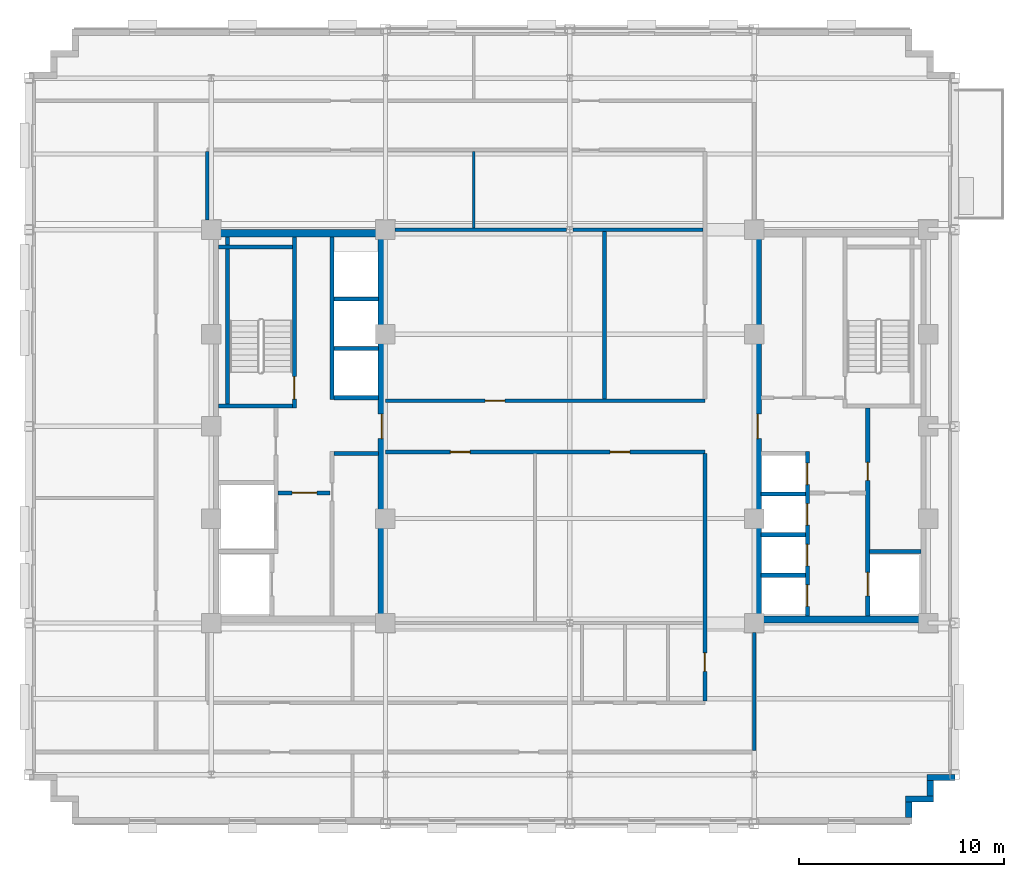
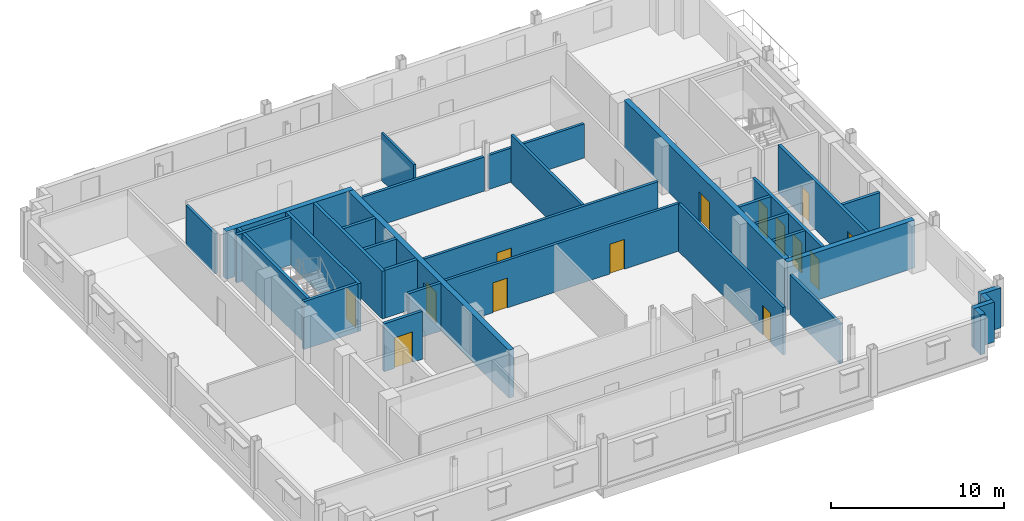
# One storey, part 7 of 13: 33 walls, 14 doors, 14 openings.
"""IFC4 building model written with IfcOpenShell, lengths in metres."""

from ifc_helpers import new_model, si_unit, direction, frame, frame_2d, origin, place, context, subcontext, project, spatial, rectangle, extrude, source, transform, mapped, material, layer, layer_set, type_object, type_shapes, element, fill, save


model = new_model("IFC4")

# Units and contexts
model_context = context("Model", 3, precision=1e-05, world=origin(), true_north=direction((0.0, 1.0)))
body_context = subcontext(model_context, "Body", "Model", "MODEL_VIEW")
ifc_project = project(units=[si_unit("LENGTHUNIT", "METRE"), si_unit("AREAUNIT", "SQUARE_METRE"), si_unit("VOLUMEUNIT", "CUBIC_METRE"), si_unit("PLANEANGLEUNIT", "RADIAN"), si_unit("MASSUNIT", "GRAM", prefix="KILO")], contexts=[model_context])

# Site, building, storey
site_placement = place(None, origin())
site = spatial("IfcSite", under=ifc_project, at=site_placement, CompositionType="ELEMENT")
building_placement = place(site_placement, origin())
building = spatial("IfcBuilding", under=site, at=building_placement, Name="Nuvemarco Arch Tower", CompositionType="ELEMENT")
storey_placement = place(building_placement, frame((0.0, 0.0, 212.800048828125)))
storey = spatial("IfcBuildingStorey", under=building, at=storey_placement, Name="L56", CompositionType="ELEMENT", Elevation=212.800048828125)

# Walls
ifc_material_1 = material(Name="Precast concrete C45/55", Category="concrete")
ifc_layer_1 = layer(ifc_material_1, 0.31005859375, Name="EW-UPP-310")
ifc_layer_set_1 = layer_set([ifc_layer_1], Name="Precast concrete C45/55")
wall_type_1 = type_object("IfcWallType", Name="EW-UPP-310", PredefinedType="STANDARD", material=ifc_layer_set_1)
wall_1_placement = place(storey_placement, frame((16.544921875, -19.093994140625, 0.0), z_axis=(0.0, 0.0, 1.0), x_axis=(0.0, 1.0, 0.0)))
element("IfcWall", 1, at=wall_1_placement, inside=storey, type_object=wall_type_1, Name="L56 exterior precast facade wall 2", PredefinedType="STANDARD", context=body_context, shape_type="SweptSolid", body=[
    extrude(rectangle(XDim=0.748046875, YDim=0.31005859375, at=frame_2d((0.3740234375, 0.0))), origin(), (0.0, 0.0, 1.0), 2.81591796875),
])
wall_2_placement = place(storey_placement, frame((16.389892578125, -18.195068359375, 0.0), z_axis=(0.0, 0.0, 1.0), x_axis=(1.0, 0.0, 0.0)))
element("IfcWall", 2, at=wall_2_placement, inside=storey, type_object=wall_type_1, Name="L56 exterior precast facade wall 3", PredefinedType="STANDARD", context=body_context, shape_type="SweptSolid", body=[
    extrude(rectangle(XDim=1.360107421875, YDim=0.31005859375, at=frame_2d((0.68017578125, 0.0))), origin(), (0.0, 0.0, 1.0), 2.81591796875),
])
wall_3_placement = place(storey_placement, frame((17.594970703125, -18.0439453125, 0.0), z_axis=(0.0, 0.0, 1.0), x_axis=(0.0, 1.0, 0.0)))
element("IfcWall", 3, at=wall_3_placement, inside=storey, type_object=wall_type_1, Name="L56 exterior precast facade wall 4", PredefinedType="STANDARD", context=body_context, shape_type="SweptSolid", body=[
    extrude(rectangle(XDim=0.748046875, YDim=0.31005859375, at=frame_2d((0.3740234375, 0.0))), origin(), (0.0, 0.0, 1.0), 2.81591796875),
])
wall_4_placement = place(storey_placement, frame((17.43994140625, -17.14501953125, 0.0), z_axis=(0.0, 0.0, 1.0), x_axis=(1.0, 0.0, 0.0)))
element("IfcWall", 4, at=wall_4_placement, inside=storey, type_object=wall_type_1, Name="L56 exterior precast facade wall 5", PredefinedType="STANDARD", context=body_context, shape_type="SweptSolid", body=[
    extrude(rectangle(XDim=1.360107421875, YDim=0.31005859375, at=frame_2d((0.68017578125, 0.0))), origin(), (0.0, 0.0, 1.0), 2.81591796875),
])
ifc_material_2 = material(Name="Concrete C50/60", Category="concrete")
ifc_layer_2 = layer(ifc_material_2, 0.35009765625, Name="WL-CORE-350")
ifc_layer_set_2 = layer_set([ifc_layer_2], Name="Concrete C50/60")
wall_type_2 = type_object("IfcWallType", Name="WL-CORE-350", PredefinedType="SHEAR", material=ifc_layer_set_2)
wall_5_placement = place(storey_placement, frame((-17.5, 9.425048828125, 0.0), z_axis=(0.0, 0.0, 1.0), x_axis=(1.0, 0.0, 0.0)))
element("IfcWall", 5, at=wall_5_placement, inside=storey, type_object=wall_type_2, Name="L56 W-core shear wall N", PredefinedType="SHEAR", context=body_context, shape_type="SweptSolid", body=[
    extrude(rectangle(XDim=8.5, YDim=0.35009765625, at=frame_2d((4.25, 0.0))), origin(), (0.0, 0.0, 1.0), 3.369873046875),
])

# Wall, opening, door
wall_6_placement = place(storey_placement, frame((-9.175048828125, -9.2548828125, 0.0), z_axis=(0.0, 0.0, 1.0), x_axis=(0.0, 1.0, 0.0)))
wall_6 = element("IfcWall", 6, at=wall_6_placement, inside=storey, type_object=wall_type_2, Name="L56 W-core shear wall E", PredefinedType="SHEAR", context=body_context, shape_type="SweptSolid", body=[
    extrude(rectangle(XDim=18.509765625, YDim=0.35009765625, at=frame_2d((9.2548828125, 0.0))), origin(), (0.0, 0.0, 1.0), 3.369873046875),
])
opening_1_placement = place(wall_6_placement, frame((8.655029296875, 0.0, 0.0)))
opening_1 = element("IfcOpeningElement", 7, at=opening_1_placement, cuts=wall_6, Name="Opening FD-2", PredefinedType="OPENING", context=body_context, shape_type="SweptSolid", body=[
    extrude(rectangle(XDim=1.199951171875, YDim=2.14990234375, at=frame_2d((0.60009765625, 1.074951171875))), frame((0.0, 0.18505859375, 0.0), z_axis=(0.0, -1.0, 0.0), x_axis=(1.0, 0.0, 0.0)), (0.0, 0.0, 1.0), 0.3701171875),
])
ifc_material_3 = material(Name="Anodised steel fire door", Category="steel")
door_type_1 = type_object("IfcDoorType", Name="DR-FFLOB-FD", OperationType="NOTDEFINED", PredefinedType="DOOR", material=ifc_material_3)
shared_shape_1 = source(origin(), body_context, "Body", "SweptSolid", [
    extrude(rectangle(XDim=1.199951171875, YDim=2.14990234375, at=frame_2d((0.60009765625, 1.074951171875))), frame((0.0, 0.02490234375, 0.0), z_axis=(0.0, -1.0, 0.0), x_axis=(1.0, 0.0, 0.0)), (0.0, 0.0, 1.0), 0.050048828125),
])
type_shapes(door_type_1, [shared_shape_1])
door_1_placement = place(opening_1_placement, origin())
door_1 = element("IfcDoor", 8, at=door_1_placement, inside=storey, type_object=door_type_1, Name="L56 door FD-L56-WCORE-E", OperationType="SINGLE_SWING_RIGHT", OverallHeight=2.14990234375, OverallWidth=1.199951171875, PredefinedType="DOOR", context=body_context, shape_type="MappedRepresentation", body=[
    mapped(shared_shape_1, transform((0.0, 0.0, 0.0), scale=1.0)),
])
fill(opening_1, door_1)

# Wall
wall_7_placement = place(storey_placement, frame((9.0, -9.425048828125, 0.0), z_axis=(0.0, 0.0, 1.0), x_axis=(1.0, 0.0, 0.0)))
element("IfcWall", 9, at=wall_7_placement, inside=storey, type_object=wall_type_2, Name="L56 E-core shear wall S", PredefinedType="SHEAR", context=body_context, shape_type="SweptSolid", body=[
    extrude(rectangle(XDim=8.5, YDim=0.35009765625, at=frame_2d((4.25, 0.0))), origin(), (0.0, 0.0, 1.0), 3.369873046875),
])

# Wall, opening, door
wall_8_placement = place(storey_placement, frame((9.175048828125, -9.2548828125, 0.0), z_axis=(0.0, 0.0, 1.0), x_axis=(0.0, 1.0, 0.0)))
wall_8 = element("IfcWall", 10, at=wall_8_placement, inside=storey, type_object=wall_type_2, Name="L56 E-core shear wall W", PredefinedType="SHEAR", context=body_context, shape_type="SweptSolid", body=[
    extrude(rectangle(XDim=18.509765625, YDim=0.35009765625, at=frame_2d((9.2548828125, 0.0))), origin(), (0.0, 0.0, 1.0), 3.369873046875),
])
opening_2_placement = place(wall_8_placement, frame((8.655029296875, 0.0, 0.0)))
opening_2 = element("IfcOpeningElement", 11, at=opening_2_placement, cuts=wall_8, Name="Opening FD-2", PredefinedType="OPENING", context=body_context, shape_type="SweptSolid", body=[
    extrude(rectangle(XDim=1.199951171875, YDim=2.14990234375, at=frame_2d((0.60009765625, 1.074951171875))), frame((0.0, 0.18505859375, 0.0), z_axis=(0.0, -1.0, 0.0), x_axis=(1.0, 0.0, 0.0)), (0.0, 0.0, 1.0), 0.3701171875),
])
door_2_placement = place(opening_2_placement, origin())
door_2 = element("IfcDoor", 12, at=door_2_placement, inside=storey, type_object=door_type_1, Name="L56 door FD-L56-ECORE-W", OperationType="SINGLE_SWING_LEFT", OverallHeight=2.14990234375, OverallWidth=1.199951171875, PredefinedType="DOOR", context=body_context, shape_type="MappedRepresentation", body=[
    mapped(shared_shape_1, transform((0.0, 0.0, 0.0), scale=1.0)),
])
fill(opening_2, door_2)

# Wall, openings, doors
ifc_material_4 = material(Name="Fire-rated gypsum drywall partition")
ifc_layer_3 = layer(ifc_material_4, 0.179931640625, Name="WL-CORR-180")
ifc_layer_set_3 = layer_set([ifc_layer_3], Name="Fire-rated gypsum drywall partition")
wall_type_3 = type_object("IfcWallType", Name="WL-CORR-180", PredefinedType="PARTITIONING", material=ifc_layer_set_3)
wall_9_placement = place(storey_placement, frame((-9.0, -1.25, 0.0), z_axis=(0.0, 0.0, 1.0), x_axis=(1.0, 0.0, 0.0)))
wall_9 = element("IfcWall", 13, at=wall_9_placement, inside=storey, type_object=wall_type_3, Name="L56 interior wall IW-L56-006", PredefinedType="PARTITIONING", context=body_context, shape_type="SweptSolid", body=[
    extrude(rectangle(XDim=15.60009765625, YDim=0.179931640625, at=frame_2d((7.800048828125, 0.0))), origin(), (0.0, 0.0, 1.0), 3.35986328125),
])
opening_3_placement = place(wall_9_placement, frame((10.969970703125, 0.0, 0.0)))
opening_3 = element("IfcOpeningElement", 14, at=opening_3_placement, cuts=wall_9, Name="Opening FD-5", PredefinedType="OPENING", context=body_context, shape_type="SweptSolid", body=[
    extrude(rectangle(XDim=0.9599609375, YDim=2.10009765625, at=frame_2d((0.47998046875, 1.050048828125))), frame((0.0, 0.099853515625, 0.0), z_axis=(0.0, -1.0, 0.0), x_axis=(1.0, 0.0, 0.0)), (0.0, 0.0, 1.0), 0.199951171875),
])
opening_4_placement = place(wall_9_placement, frame((3.169921875, 0.0, 0.0)))
opening_4 = element("IfcOpeningElement", 15, at=opening_4_placement, cuts=wall_9, Name="Opening FD-5", PredefinedType="OPENING", context=body_context, shape_type="SweptSolid", body=[
    extrude(rectangle(XDim=0.9599609375, YDim=2.10009765625, at=frame_2d((0.47998046875, 1.050048828125))), frame((0.0, 0.099853515625, 0.0), z_axis=(0.0, -1.0, 0.0), x_axis=(1.0, 0.0, 0.0)), (0.0, 0.0, 1.0), 0.199951171875),
])
ifc_material_5 = material(Name="Timber fire door", Category="wood")
door_type_2 = type_object("IfcDoorType", Name="DR-CORR-FD", OperationType="NOTDEFINED", PredefinedType="DOOR", material=ifc_material_5)
shared_shape_2 = source(origin(), body_context, "Body", "SweptSolid", [
    extrude(rectangle(XDim=0.9599609375, YDim=2.10009765625, at=frame_2d((0.47998046875, 1.050048828125))), frame((0.0, 0.02490234375, 0.0), z_axis=(0.0, -1.0, 0.0), x_axis=(1.0, 0.0, 0.0)), (0.0, 0.0, 1.0), 0.050048828125),
])
type_shapes(door_type_2, [shared_shape_2])
door_3_placement = place(opening_3_placement, origin())
door_3 = element("IfcDoor", 16, at=door_3_placement, inside=storey, type_object=door_type_2, Name="L56 door DR-L56-C_SE", OperationType="SINGLE_SWING_LEFT", OverallHeight=2.10009765625, OverallWidth=0.9599609375, PredefinedType="DOOR", context=body_context, shape_type="MappedRepresentation", body=[
    mapped(shared_shape_2, transform((0.0, 0.0, 0.0), scale=1.0)),
])
fill(opening_3, door_3)
door_4_placement = place(opening_4_placement, origin())
door_4 = element("IfcDoor", 17, at=door_4_placement, inside=storey, type_object=door_type_2, Name="L56 door DR-L56-C_SW", OperationType="SINGLE_SWING_LEFT", OverallHeight=2.10009765625, OverallWidth=0.9599609375, PredefinedType="DOOR", context=body_context, shape_type="MappedRepresentation", body=[
    mapped(shared_shape_2, transform((0.0, 0.0, 0.0), scale=1.0)),
])
fill(opening_4, door_4)

# Wall, opening, door
wall_10_placement = place(storey_placement, frame((-9.0, 1.25, 0.0), z_axis=(0.0, 0.0, 1.0), x_axis=(1.0, 0.0, 0.0)))
wall_10 = element("IfcWall", 18, at=wall_10_placement, inside=storey, type_object=wall_type_3, Name="L56 interior wall IW-L56-007", PredefinedType="PARTITIONING", context=body_context, shape_type="SweptSolid", body=[
    extrude(rectangle(XDim=15.60009765625, YDim=0.179931640625, at=frame_2d((7.800048828125, 0.0))), origin(), (0.0, 0.0, 1.0), 3.35986328125),
])
opening_5_placement = place(wall_10_placement, frame((4.8701171875, 0.0, 0.0)))
opening_5 = element("IfcOpeningElement", 19, at=opening_5_placement, cuts=wall_10, Name="Opening FD-5", PredefinedType="OPENING", context=body_context, shape_type="SweptSolid", body=[
    extrude(rectangle(XDim=0.9599609375, YDim=2.10009765625, at=frame_2d((0.47998046875, 1.050048828125))), frame((0.0, 0.099853515625, 0.0), z_axis=(0.0, -1.0, 0.0), x_axis=(1.0, 0.0, 0.0)), (0.0, 0.0, 1.0), 0.199951171875),
])
door_5_placement = place(opening_5_placement, origin())
door_5 = element("IfcDoor", 20, at=door_5_placement, inside=storey, type_object=door_type_2, Name="L56 door DR-L56-C_NW", OperationType="SINGLE_SWING_LEFT", OverallHeight=2.10009765625, OverallWidth=0.9599609375, PredefinedType="DOOR", context=body_context, shape_type="MappedRepresentation", body=[
    mapped(shared_shape_2, transform((0.0, 0.0, 0.0), scale=1.0)),
])
fill(opening_5, door_5)

# Walls
wall_11_placement = place(storey_placement, frame((-8.529052734375, 9.60009765625, 0.0), z_axis=(0.0, 0.0, 1.0), x_axis=(1.0, 0.0, 0.0)))
element("IfcWall", 21, at=wall_11_placement, inside=storey, type_object=wall_type_3, Name="L56 interior wall IW-L56-008", PredefinedType="PARTITIONING", context=body_context, shape_type="SweptSolid", body=[
    extrude(rectangle(XDim=8.378173828125, YDim=0.179931640625, at=frame_2d((4.18896484375, 0.0))), origin(), (0.0, 0.0, 1.0), 2.405029296875),
])
wall_12_placement = place(storey_placement, frame((0.15087890625, 9.60009765625, 0.0), z_axis=(0.0, 0.0, 1.0), x_axis=(1.0, 0.0, 0.0)))
element("IfcWall", 22, at=wall_12_placement, inside=storey, type_object=wall_type_3, Name="L56 interior wall IW-L56-009", PredefinedType="PARTITIONING", context=body_context, shape_type="SweptSolid", body=[
    extrude(rectangle(XDim=6.363037109375, YDim=0.179931640625, at=frame_2d((3.181640625, 0.0))), origin(), (0.0, 0.0, 1.0), 2.405029296875),
])
wall_13_placement = place(storey_placement, frame((-17.699951171875, 10.071044921875, 0.0), z_axis=(0.0, 0.0, 1.0), x_axis=(0.0, 1.0, 0.0)))
element("IfcWall", 23, at=wall_13_placement, inside=storey, type_object=wall_type_3, Name="L56 interior wall IW-L56-014", PredefinedType="PARTITIONING", context=body_context, shape_type="SweptSolid", body=[
    extrude(rectangle(XDim=3.343017578125, YDim=0.179931640625, at=frame_2d((1.67138671875, 0.0))), origin(), (0.0, 0.0, 1.0), 2.81591796875),
])
wall_14_placement = place(storey_placement, frame((1.699951171875, 1.3359375, 0.0), z_axis=(0.0, 0.0, 1.0), x_axis=(0.0, 1.0, 0.0)))
element("IfcWall", 24, at=wall_14_placement, inside=storey, type_object=wall_type_3, Name="L56 interior wall IW-L56-021", PredefinedType="PARTITIONING", context=body_context, shape_type="SweptSolid", body=[
    extrude(rectangle(XDim=8.177978515625, YDim=0.179931640625, at=frame_2d((4.0888671875, 0.0))), origin(), (0.0, 0.0, 1.0), 3.35986328125),
])

# Wall, opening, door
wall_15_placement = place(storey_placement, frame((6.60009765625, -13.4140625, 0.0), z_axis=(0.0, 0.0, 1.0), x_axis=(0.0, 1.0, 0.0)))
wall_15 = element("IfcWall", 25, at=wall_15_placement, inside=storey, type_object=wall_type_3, Name="L56 interior wall IW-L56-024", PredefinedType="PARTITIONING", context=body_context, shape_type="SweptSolid", body=[
    extrude(rectangle(XDim=12.078125, YDim=0.179931640625, at=frame_2d((6.0390625, 0.0))), origin(), (0.0, 0.0, 1.0), 3.35986328125),
])
opening_6_placement = place(wall_15_placement, frame((1.45703125, 0.0, 0.0)))
opening_6 = element("IfcOpeningElement", 26, at=opening_6_placement, cuts=wall_15, Name="Opening ID-3", PredefinedType="OPENING", context=body_context, shape_type="SweptSolid", body=[
    extrude(rectangle(XDim=0.89990234375, YDim=2.10009765625, at=frame_2d((0.449951171875, 1.050048828125))), frame((0.0, 0.099853515625, 0.0), z_axis=(0.0, -1.0, 0.0), x_axis=(1.0, 0.0, 0.0)), (0.0, 0.0, 1.0), 0.199951171875),
])
ifc_material_6 = material(Name="Veneered oak timber fire door", Category="wood")
door_type_3 = type_object("IfcDoorType", Name="DR-WC-ACC", OperationType="NOTDEFINED", PredefinedType="DOOR", material=ifc_material_6)
shared_shape_3 = source(origin(), body_context, "Body", "SweptSolid", [
    extrude(rectangle(XDim=0.89990234375, YDim=2.10009765625, at=frame_2d((0.449951171875, 1.050048828125))), frame((0.0, 0.02490234375, 0.0), z_axis=(0.0, -1.0, 0.0), x_axis=(1.0, 0.0, 0.0)), (0.0, 0.0, 1.0), 0.050048828125),
])
type_shapes(door_type_3, [shared_shape_3])
door_6_placement = place(opening_6_placement, origin())
door_6 = element("IfcDoor", 27, at=door_6_placement, inside=storey, type_object=door_type_3, Name="L56 door DR-L56-WC_ACC", OperationType="SINGLE_SWING_RIGHT", OverallHeight=2.10009765625, OverallWidth=0.89990234375, PredefinedType="DOOR", context=body_context, shape_type="MappedRepresentation", body=[
    mapped(shared_shape_3, transform((0.0, 0.0, 0.0), scale=1.0)),
])
fill(opening_6, door_6)

# Walls
wall_16_placement = place(storey_placement, frame((9.0, -15.81396484375, 0.0), z_axis=(0.0, 0.0, 1.0), x_axis=(0.0, 1.0, 0.0)))
element("IfcWall", 28, at=wall_16_placement, inside=storey, type_object=wall_type_3, Name="L56 interior wall IW-L56-026", PredefinedType="PARTITIONING", context=body_context, shape_type="SweptSolid", body=[
    extrude(rectangle(XDim=5.742919921875, YDim=0.179931640625, at=frame_2d((2.87158203125, 0.0))), origin(), (0.0, 0.0, 1.0), 2.81591796875),
])
ifc_material_7 = material(Name="Gypsum plasterboard partition")
ifc_layer_4 = layer(ifc_material_7, 0.139892578125, Name="WL-ROOM-140")
ifc_layer_set_4 = layer_set([ifc_layer_4], Name="Gypsum plasterboard partition")
wall_type_4 = type_object("IfcWallType", Name="WL-ROOM-140", PredefinedType="PARTITIONING", material=ifc_layer_set_4)
wall_17_placement = place(storey_placement, frame((-4.68994140625, 9.68603515625, 0.0), z_axis=(0.0, 0.0, 1.0), x_axis=(0.0, 1.0, 0.0)))
element("IfcWall", 29, at=wall_17_placement, inside=storey, type_object=wall_type_4, Name="L56 interior wall IW-L56-017", PredefinedType="PARTITIONING", context=body_context, shape_type="SweptSolid", body=[
    extrude(rectangle(XDim=3.72802734375, YDim=0.139892578125, at=frame_2d((1.864013671875, 0.0))), origin(), (0.0, 0.0, 1.0), 3.35986328125),
])

# Wall, opening, door
ifc_layer_5 = layer(ifc_material_2, 0.199951171875, Name="WL-SHAFT-220")
ifc_layer_set_5 = layer_set([ifc_layer_5], Name="Concrete C50/60")
wall_type_5 = type_object("IfcWallType", Name="WL-SHAFT-220", PredefinedType="SHEAR", material=ifc_layer_set_5)
wall_18_placement = place(storey_placement, frame((-13.43994140625, 0.89990234375, 0.0), z_axis=(0.0, 0.0, 1.0), x_axis=(0.0, 1.0, 0.0)))
wall_18 = element("IfcWall", 30, at=wall_18_placement, inside=storey, type_object=wall_type_5, Name="L56 structural shaft wall SW-L56-W-ST1E", PredefinedType="SHEAR", context=body_context, shape_type="SweptSolid", body=[
    extrude(rectangle(XDim=8.35498046875, YDim=0.199951171875, at=frame_2d((4.177490234375, 0.0))), origin(), (0.0, 0.0, 1.0), 3.369873046875),
])
opening_7_placement = place(wall_18_placement, frame((1.530029296875, 0.0, 0.0), z_axis=(0.0, 0.0, 1.0), x_axis=(-1.0, 0.0, 0.0)))
opening_7 = element("IfcOpeningElement", 31, at=opening_7_placement, cuts=wall_18, Name="Opening FD-1", PredefinedType="OPENING", context=body_context, shape_type="SweptSolid", body=[
    extrude(rectangle(XDim=1.10009765625, YDim=2.14990234375, at=frame_2d((0.550048828125, 1.074951171875))), frame((0.0, 0.10986328125, 0.0), z_axis=(0.0, -1.0, 0.0), x_axis=(1.0, 0.0, 0.0)), (0.0, 0.0, 1.0), 0.219970703125),
])
door_type_4 = type_object("IfcDoorType", Name="DR-STAIR-FD", OperationType="NOTDEFINED", PredefinedType="DOOR", material=ifc_material_3)
shared_shape_4 = source(origin(), body_context, "Body", "SweptSolid", [
    extrude(rectangle(XDim=1.10009765625, YDim=2.14990234375, at=frame_2d((0.550048828125, 1.074951171875))), frame((0.0, 0.02490234375, 0.0), z_axis=(0.0, -1.0, 0.0), x_axis=(1.0, 0.0, 0.0)), (0.0, 0.0, 1.0), 0.050048828125),
])
type_shapes(door_type_4, [shared_shape_4])
door_7_placement = place(opening_7_placement, origin())
door_7 = element("IfcDoor", 32, at=door_7_placement, inside=storey, type_object=door_type_4, Name="L56 door FD-L56-ST1", OperationType="SINGLE_SWING_LEFT", OverallHeight=2.14990234375, OverallWidth=1.10009765625, PredefinedType="DOOR", context=body_context, shape_type="MappedRepresentation", body=[
    mapped(shared_shape_4, transform((0.0, 0.0, 0.0), scale=1.0)),
])
fill(opening_7, door_7)

# Walls
for number, where, z_axis, x_axis, name in (
    (33, (-17.155029296875, 1.0, 0.0), (0.0, 0.0, 1.0), (1.0, 0.0, 0.0), "L56 structural shaft wall SW-L56-W-ST1S"),
    (34, (-17.155029296875, 8.75, 0.0), (0.0, 0.0, 1.0), (1.0, 0.0, 0.0), "L56 structural shaft wall SW-L56-W-ST1N"),
):
    element("IfcWall", number, at=place(storey_placement, frame(where, z_axis=z_axis, x_axis=x_axis)), inside=storey, type_object=wall_type_5, Name=name, PredefinedType="SHEAR", context=body_context, shape_type="SweptSolid", body=[
        extrude(rectangle(XDim=3.6201171875, YDim=0.199951171875, at=frame_2d((1.81005859375, 0.0))), origin(), (0.0, 0.0, 1.0), 3.369873046875),
    ])
wall_19_placement = place(storey_placement, frame((-16.699951171875, 1.094970703125, 0.0), z_axis=(0.0, 0.0, 1.0), x_axis=(0.0, 1.0, 0.0)))
element("IfcWall", 35, at=wall_19_placement, inside=storey, type_object=wall_type_5, Name="L56 structural shaft wall SW-L56-W-ST1W", PredefinedType="SHEAR", context=body_context, shape_type="SweptSolid", body=[
    extrude(rectangle(XDim=8.159912109375, YDim=0.199951171875, at=frame_2d((4.080078125, 0.0))), origin(), (0.0, 0.0, 1.0), 3.369873046875),
])

# Wall, opening, door
wall_20_placement = place(storey_placement, frame((-14.2548828125, -3.25, 0.0), z_axis=(0.0, 0.0, 1.0), x_axis=(1.0, 0.0, 0.0)))
wall_20 = element("IfcWall", 36, at=wall_20_placement, inside=storey, type_object=wall_type_5, Name="L56 structural shaft wall SW-L56-W-FFN", PredefinedType="SHEAR", context=body_context, shape_type="SweptSolid", body=[
    extrude(rectangle(XDim=2.559814453125, YDim=0.199951171875, at=frame_2d((1.27978515625, 0.0))), origin(), (0.0, 0.0, 1.0), 3.369873046875),
])
opening_8_placement = place(wall_20_placement, frame((0.705078125, 0.0, 0.0)))
opening_8 = element("IfcOpeningElement", 37, at=opening_8_placement, cuts=wall_20, Name="Opening FD-2", PredefinedType="OPENING", context=body_context, shape_type="SweptSolid", body=[
    extrude(rectangle(XDim=1.199951171875, YDim=2.14990234375, at=frame_2d((0.60009765625, 1.074951171875))), frame((0.0, 0.10986328125, 0.0), z_axis=(0.0, -1.0, 0.0), x_axis=(1.0, 0.0, 0.0)), (0.0, 0.0, 1.0), 0.219970703125),
])
door_8_placement = place(opening_8_placement, origin())
door_8 = element("IfcDoor", 38, at=door_8_placement, inside=storey, type_object=door_type_1, Name="L56 door FD-L56-WFF1", OperationType="SINGLE_SWING_LEFT", OverallHeight=2.14990234375, OverallWidth=1.199951171875, PredefinedType="DOOR", context=body_context, shape_type="MappedRepresentation", body=[
    mapped(shared_shape_1, transform((0.0, 0.0, 0.0), scale=1.0)),
])
fill(opening_8, door_8)

# Walls
wall_21_placement = place(storey_placement, frame((-11.5048828125, -1.330078125, 0.0), z_axis=(0.0, 0.0, 1.0), x_axis=(1.0, 0.0, 0.0)))
element("IfcWall", 39, at=wall_21_placement, inside=storey, type_object=wall_type_5, Name="L56 structural shaft wall SW-L56-W-PLTOP", PredefinedType="SHEAR", context=body_context, shape_type="SweptSolid", body=[
    extrude(rectangle(XDim=2.159912109375, YDim=0.199951171875, at=frame_2d((1.080078125, 0.0))), origin(), (0.0, 0.0, 1.0), 3.369873046875),
])
wall_22_placement = place(storey_placement, frame((-11.60009765625, 1.300048828125, 0.0), z_axis=(0.0, 0.0, 1.0), x_axis=(0.0, 1.0, 0.0)))
element("IfcWall", 40, at=wall_22_placement, inside=storey, type_object=wall_type_5, Name="L56 structural shaft wall SW-L56-W-PHW", PredefinedType="SHEAR", context=body_context, shape_type="SweptSolid", body=[
    extrude(rectangle(XDim=7.954833984375, YDim=0.199951171875, at=frame_2d((3.9775390625, 0.0))), origin(), (0.0, 0.0, 1.0), 3.369873046875),
])
for number, where, z_axis, x_axis, name in (
    (41, (-11.5048828125, 1.39990234375, 0.0), (0.0, 0.0, 1.0), (1.0, 0.0, 0.0), "L56 structural shaft wall SW-L56-W-PHD1"),
    (42, (-11.5048828125, 3.800048828125, 0.0), (0.0, 0.0, 1.0), (1.0, 0.0, 0.0), "L56 structural shaft wall SW-L56-W-PHD2"),
    (43, (-11.5048828125, 6.219970703125, 0.0), (0.0, 0.0, 1.0), (1.0, 0.0, 0.0), "L56 structural shaft wall SW-L56-W-PHD3"),
):
    element("IfcWall", number, at=place(storey_placement, frame(where, z_axis=z_axis, x_axis=x_axis)), inside=storey, type_object=wall_type_5, Name=name, PredefinedType="SHEAR", context=body_context, shape_type="SweptSolid", body=[
        extrude(rectangle(XDim=2.159912109375, YDim=0.199951171875, at=frame_2d((1.080078125, 0.0))), origin(), (0.0, 0.0, 1.0), 3.369873046875),
    ])

# Wall, openings, doors
wall_23_placement = place(storey_placement, frame((14.550048828125, -9.2548828125, 0.0), z_axis=(0.0, 0.0, 1.0), x_axis=(0.0, 1.0, 0.0)))
wall_23 = element("IfcWall", 44, at=wall_23_placement, inside=storey, type_object=wall_type_5, Name="L56 structural shaft wall SW-L56-E-SHW", PredefinedType="SHEAR", context=body_context, shape_type="SweptSolid", body=[
    extrude(rectangle(XDim=10.159912109375, YDim=0.199951171875, at=frame_2d((5.080078125, 0.0))), origin(), (0.0, 0.0, 1.0), 3.369873046875),
])
opening_9_placement = place(wall_23_placement, frame((6.614990234375, 0.0, 0.0)))
opening_9 = element("IfcOpeningElement", 45, at=opening_9_placement, cuts=wall_23, Name="Opening FD-4", PredefinedType="OPENING", context=body_context, shape_type="SweptSolid", body=[
    extrude(rectangle(XDim=0.8798828125, YDim=2.10009765625, at=frame_2d((0.43994140625, 1.050048828125))), frame((0.0, 0.10986328125, 0.0), z_axis=(0.0, -1.0, 0.0), x_axis=(1.0, 0.0, 0.0)), (0.0, 0.0, 1.0), 0.219970703125),
])
opening_10_placement = place(wall_23_placement, frame((0.97998046875, 0.0, 0.0)))
opening_10 = element("IfcOpeningElement", 46, at=opening_10_placement, cuts=wall_23, Name="Opening LD-2", PredefinedType="OPENING", context=body_context, shape_type="SweptSolid", body=[
    extrude(rectangle(XDim=1.14990234375, YDim=2.14990234375, at=frame_2d((0.574951171875, 1.074951171875))), frame((0.0, 0.10986328125, 0.0), z_axis=(0.0, -1.0, 0.0), x_axis=(1.0, 0.0, 0.0)), (0.0, 0.0, 1.0), 0.219970703125),
])
door_type_5 = type_object("IfcDoorType", Name="DR-RISER-FD", OperationType="NOTDEFINED", PredefinedType="DOOR", material=ifc_material_3)
shared_shape_5 = source(origin(), body_context, "Body", "SweptSolid", [
    extrude(rectangle(XDim=0.8798828125, YDim=2.10009765625, at=frame_2d((0.43994140625, 1.050048828125))), frame((0.0, 0.02490234375, 0.0), z_axis=(0.0, -1.0, 0.0), x_axis=(1.0, 0.0, 0.0)), (0.0, 0.0, 1.0), 0.050048828125),
])
type_shapes(door_type_5, [shared_shape_5])
door_9_placement = place(opening_9_placement, origin())
door_9 = element("IfcDoor", 47, at=door_9_placement, inside=storey, type_object=door_type_5, Name="L56 door FD-L56-ERIS", OperationType="SINGLE_SWING_RIGHT", OverallHeight=2.10009765625, OverallWidth=0.8798828125, PredefinedType="DOOR", context=body_context, shape_type="MappedRepresentation", body=[
    mapped(shared_shape_5, transform((0.0, 0.0, 0.0), scale=1.0)),
])
fill(opening_9, door_9)
ifc_material_8 = material(Name="Stainless steel lift door", Category="steel")
door_type_6 = type_object("IfcDoorType", Name="DR-LIFT-FIRE", OperationType="DOUBLE_DOOR_SLIDING", PredefinedType="DOOR", material=ifc_material_8)
shared_shape_6 = source(origin(), body_context, "Body", "SweptSolid", [
    extrude(rectangle(XDim=1.14990234375, YDim=2.14990234375, at=frame_2d((0.574951171875, 1.074951171875))), frame((0.0, 0.02490234375, 0.0), z_axis=(0.0, -1.0, 0.0), x_axis=(1.0, 0.0, 0.0)), (0.0, 0.0, 1.0), 0.050048828125),
])
type_shapes(door_type_6, [shared_shape_6])
door_10_placement = place(opening_10_placement, origin())
door_10 = element("IfcDoor", 48, at=door_10_placement, inside=storey, type_object=door_type_6, Name="L56 Lift landing sliding door FFL-2", OperationType="DOUBLE_DOOR_SLIDING", OverallHeight=2.14990234375, OverallWidth=1.14990234375, PredefinedType="DOOR", context=body_context, shape_type="MappedRepresentation", body=[
    mapped(shared_shape_6, transform((0.0, 0.0, 0.0), scale=1.0)),
])
fill(opening_10, door_10)

# Wall
wall_24_placement = place(storey_placement, frame((14.64501953125, -6.10009765625, 0.0), z_axis=(0.0, 0.0, 1.0), x_axis=(1.0, 0.0, 0.0)))
element("IfcWall", 49, at=wall_24_placement, inside=storey, type_object=wall_type_5, Name="L56 structural shaft wall SW-L56-E-SH1", PredefinedType="SHEAR", context=body_context, shape_type="SweptSolid", body=[
    extrude(rectangle(XDim=2.510009765625, YDim=0.199951171875, at=frame_2d((1.2548828125, 0.0))), origin(), (0.0, 0.0, 1.0), 3.369873046875),
])

# Wall, openings, doors
wall_25_placement = place(storey_placement, frame((11.60009765625, -9.2548828125, 0.0), z_axis=(0.0, 0.0, 1.0), x_axis=(0.0, 1.0, 0.0)))
wall_25 = element("IfcWall", 50, at=wall_25_placement, inside=storey, type_object=wall_type_5, Name="L56 structural shaft wall SW-L56-E-PME", PredefinedType="SHEAR", context=body_context, shape_type="SweptSolid", body=[
    extrude(rectangle(XDim=8.02490234375, YDim=0.199951171875, at=frame_2d((4.012451171875, 0.0))), origin(), (0.0, 0.0, 1.0), 3.369873046875),
])
opening_11_placement = place(wall_25_placement, frame((0.469970703125, 0.0, 0.0)))
opening_11 = element("IfcOpeningElement", 51, at=opening_11_placement, cuts=wall_25, Name="Opening LD-1", PredefinedType="OPENING", context=body_context, shape_type="SweptSolid", body=[
    extrude(rectangle(XDim=1.050048828125, YDim=2.14990234375, at=frame_2d((0.52490234375, 1.074951171875))), frame((0.0, 0.10986328125, 0.0), z_axis=(0.0, -1.0, 0.0), x_axis=(1.0, 0.0, 0.0)), (0.0, 0.0, 1.0), 0.219970703125),
])
opening_12_placement = place(wall_25_placement, frame((2.449951171875, 0.0, 0.0)))
opening_12 = element("IfcOpeningElement", 52, at=opening_12_placement, cuts=wall_25, Name="Opening LD-1", PredefinedType="OPENING", context=body_context, shape_type="SweptSolid", body=[
    extrude(rectangle(XDim=1.050048828125, YDim=2.14990234375, at=frame_2d((0.52490234375, 1.074951171875))), frame((0.0, 0.10986328125, 0.0), z_axis=(0.0, -1.0, 0.0), x_axis=(1.0, 0.0, 0.0)), (0.0, 0.0, 1.0), 0.219970703125),
])
opening_13_placement = place(wall_25_placement, frame((4.429931640625, 0.0, 0.0)))
opening_13 = element("IfcOpeningElement", 53, at=opening_13_placement, cuts=wall_25, Name="Opening LD-1", PredefinedType="OPENING", context=body_context, shape_type="SweptSolid", body=[
    extrude(rectangle(XDim=1.050048828125, YDim=2.14990234375, at=frame_2d((0.52490234375, 1.074951171875))), frame((0.0, 0.10986328125, 0.0), z_axis=(0.0, -1.0, 0.0), x_axis=(1.0, 0.0, 0.0)), (0.0, 0.0, 1.0), 0.219970703125),
])
opening_14_placement = place(wall_25_placement, frame((6.409912109375, 0.0, 0.0)))
opening_14 = element("IfcOpeningElement", 54, at=opening_14_placement, cuts=wall_25, Name="Opening LD-1", PredefinedType="OPENING", context=body_context, shape_type="SweptSolid", body=[
    extrude(rectangle(XDim=1.050048828125, YDim=2.14990234375, at=frame_2d((0.52490234375, 1.074951171875))), frame((0.0, 0.10986328125, 0.0), z_axis=(0.0, -1.0, 0.0), x_axis=(1.0, 0.0, 0.0)), (0.0, 0.0, 1.0), 0.219970703125),
])
door_type_7 = type_object("IfcDoorType", Name="DR-LIFT-PASS", OperationType="DOUBLE_DOOR_SLIDING", PredefinedType="DOOR", material=ifc_material_8)
shared_shape_7 = source(origin(), body_context, "Body", "SweptSolid", [
    extrude(rectangle(XDim=1.050048828125, YDim=2.14990234375, at=frame_2d((0.52490234375, 1.074951171875))), frame((0.0, 0.02490234375, 0.0), z_axis=(0.0, -1.0, 0.0), x_axis=(1.0, 0.0, 0.0)), (0.0, 0.0, 1.0), 0.050048828125),
])
type_shapes(door_type_7, [shared_shape_7])
door_11_placement = place(opening_11_placement, origin())
door_11 = element("IfcDoor", 55, at=door_11_placement, inside=storey, type_object=door_type_7, Name="L56 Lift landing sliding door PM-1", OperationType="DOUBLE_DOOR_SLIDING", OverallHeight=2.14990234375, OverallWidth=1.050048828125, PredefinedType="DOOR", context=body_context, shape_type="MappedRepresentation", body=[
    mapped(shared_shape_7, transform((0.0, 0.0, 0.0), scale=1.0)),
])
fill(opening_11, door_11)
door_12_placement = place(opening_12_placement, origin())
door_12 = element("IfcDoor", 56, at=door_12_placement, inside=storey, type_object=door_type_7, Name="L56 Lift landing sliding door PM-2", OperationType="DOUBLE_DOOR_SLIDING", OverallHeight=2.14990234375, OverallWidth=1.050048828125, PredefinedType="DOOR", context=body_context, shape_type="MappedRepresentation", body=[
    mapped(shared_shape_7, transform((0.0, 0.0, 0.0), scale=1.0)),
])
fill(opening_12, door_12)
door_13_placement = place(opening_13_placement, origin())
door_13 = element("IfcDoor", 57, at=door_13_placement, inside=storey, type_object=door_type_7, Name="L56 Lift landing sliding door PM-3", OperationType="DOUBLE_DOOR_SLIDING", OverallHeight=2.14990234375, OverallWidth=1.050048828125, PredefinedType="DOOR", context=body_context, shape_type="MappedRepresentation", body=[
    mapped(shared_shape_7, transform((0.0, 0.0, 0.0), scale=1.0)),
])
fill(opening_13, door_13)
door_14_placement = place(opening_14_placement, origin())
door_14 = element("IfcDoor", 58, at=door_14_placement, inside=storey, type_object=door_type_7, Name="L56 Lift landing sliding door PM-4", OperationType="DOUBLE_DOOR_SLIDING", OverallHeight=2.14990234375, OverallWidth=1.050048828125, PredefinedType="DOOR", context=body_context, shape_type="MappedRepresentation", body=[
    mapped(shared_shape_7, transform((0.0, 0.0, 0.0), scale=1.0)),
])
fill(opening_14, door_14)

# Walls
for number, where, z_axis, x_axis, name in (
    (59, (9.344970703125, -7.27001953125, 0.0), (0.0, 0.0, 1.0), (1.0, 0.0, 0.0), "L56 structural shaft wall SW-L56-E-PMD1"),
    (60, (9.344970703125, -5.2900390625, 0.0), (0.0, 0.0, 1.0), (1.0, 0.0, 0.0), "L56 structural shaft wall SW-L56-E-PMD2"),
    (61, (9.344970703125, -3.31005859375, 0.0), (0.0, 0.0, 1.0), (1.0, 0.0, 0.0), "L56 structural shaft wall SW-L56-E-PMD3"),
):
    element("IfcWall", number, at=place(storey_placement, frame(where, z_axis=z_axis, x_axis=x_axis)), inside=storey, type_object=wall_type_5, Name=name, PredefinedType="SHEAR", context=body_context, shape_type="SweptSolid", body=[
        extrude(rectangle(XDim=2.159912109375, YDim=0.199951171875, at=frame_2d((1.080078125, 0.0))), origin(), (0.0, 0.0, 1.0), 3.369873046875),
    ])

save(model, "model.ifc")
